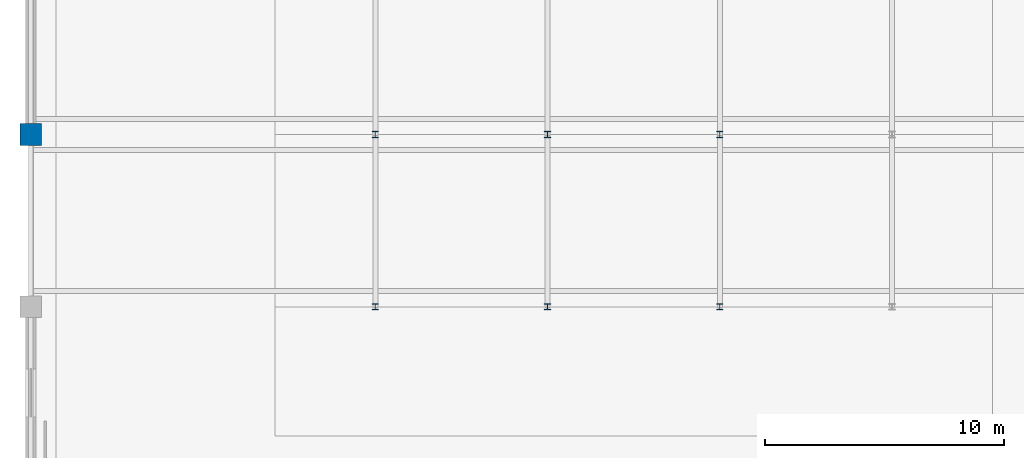
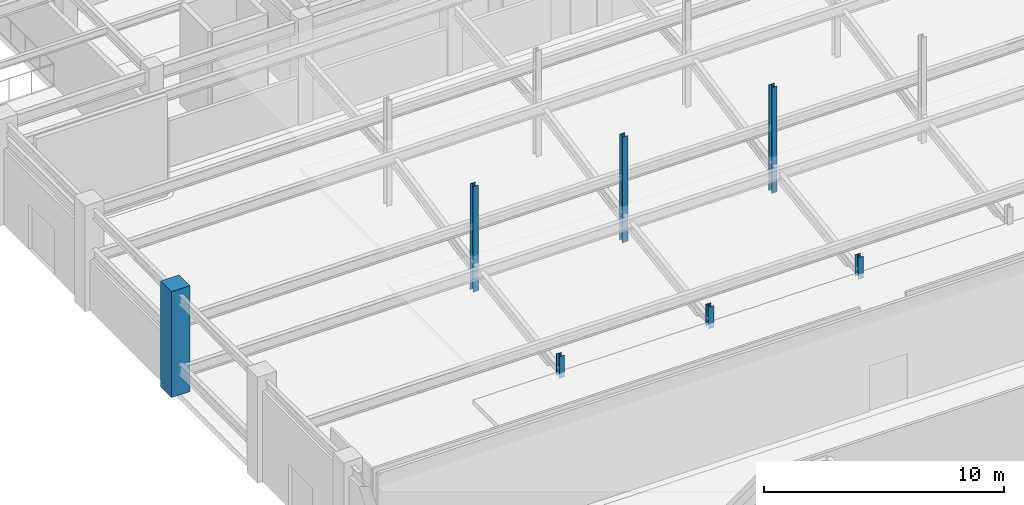
# One storey, part 2 of 102: 7 columns.
"""IFC4 building model written with IfcOpenShell, lengths in metres."""

from ifc_helpers import new_model, si_unit, direction, frame, origin, origin_2d, place, context, subcontext, project, spatial, rectangle, i_section, extrude, material, material_profile, profile_set, type_object, element, save


model = new_model("IFC4")

# Units and contexts
model_context = context("Model", 3, precision=1e-05, world=origin(), true_north=direction((0.0, 1.0)))
body_context = subcontext(model_context, "Body", "Model", "MODEL_VIEW")
ifc_project = project(units=[si_unit("LENGTHUNIT", "METRE"), si_unit("AREAUNIT", "SQUARE_METRE"), si_unit("VOLUMEUNIT", "CUBIC_METRE"), si_unit("PLANEANGLEUNIT", "RADIAN"), si_unit("MASSUNIT", "GRAM", prefix="KILO")], contexts=[model_context])

# Site, building, storey
site_placement = place(None, origin())
site = spatial("IfcSite", under=ifc_project, at=site_placement, CompositionType="ELEMENT")
building_placement = place(site_placement, origin())
building = spatial("IfcBuilding", under=site, at=building_placement, Name="Carrowvane Square Congress Hotel", CompositionType="ELEMENT")
storey_placement = place(building_placement, origin())
storey = spatial("IfcBuildingStorey", under=building, at=storey_placement, Name="L00", CompositionType="ELEMENT", Elevation=0.0)

# Columns
ifc_material_1 = material(Name="Steel S355", Category="steel")
ifc_material_profile_1 = material_profile(ifc_material_1, i_section(OverallWidth=0.25634765625, OverallDepth=0.26025390625, WebThickness=0.01025390625, FlangeThickness=0.017333984375, FilletRadius=0.0126953125, at=origin_2d()), Name="UKC 254x254x89")
ifc_profile_set_1 = profile_set([ifc_material_profile_1], Name="Steel S355")
column_type_1 = type_object("IfcColumnType", Name="COL-ST-UKC254", PredefinedType="COLUMN", material=ifc_profile_set_1)
column_1_placement = place(storey_placement, frame((26.0, 27.0, 0.0), z_axis=(0.0, 0.0, 1.0), x_axis=(1.0, 0.0, 0.0)))
element("IfcColumn", 1, at=column_1_placement, inside=storey, type_object=column_type_1, Name="L00 column RK26/RY27", PredefinedType="COLUMN", context=body_context, shape_type="SweptSolid", body=[
    extrude(i_section(OverallWidth=0.25634765625, OverallDepth=0.26025390625, WebThickness=0.01025390625, FlangeThickness=0.017333984375, FilletRadius=0.0126953125, at=origin_2d()), origin(), (0.0, 0.0, 1.0), 1.10009765625),
])
column_2_placement = place(storey_placement, frame((26.0, 34.199951171875, 0.0), z_axis=(0.0, 0.0, 1.0), x_axis=(1.0, 0.0, 0.0)))
element("IfcColumn", 2, at=column_2_placement, inside=storey, type_object=column_type_1, Name="L00 column RK26/RY34", PredefinedType="COLUMN", context=body_context, shape_type="SweptSolid", body=[
    extrude(i_section(OverallWidth=0.25634765625, OverallDepth=0.26025390625, WebThickness=0.01025390625, FlangeThickness=0.017333984375, FilletRadius=0.0126953125, at=origin_2d()), origin(), (0.0, 0.0, 1.0), 5.39990234375),
])
column_3_placement = place(storey_placement, frame((33.199951171875, 27.0, 0.0), z_axis=(0.0, 0.0, 1.0), x_axis=(1.0, 0.0, 0.0)))
element("IfcColumn", 3, at=column_3_placement, inside=storey, type_object=column_type_1, Name="L00 column RK33/RY27", PredefinedType="COLUMN", context=body_context, shape_type="SweptSolid", body=[
    extrude(i_section(OverallWidth=0.25634765625, OverallDepth=0.26025390625, WebThickness=0.01025390625, FlangeThickness=0.017333984375, FilletRadius=0.0126953125, at=origin_2d()), origin(), (0.0, 0.0, 1.0), 1.10009765625),
])
column_4_placement = place(storey_placement, frame((33.199951171875, 34.199951171875, 0.0), z_axis=(0.0, 0.0, 1.0), x_axis=(1.0, 0.0, 0.0)))
element("IfcColumn", 4, at=column_4_placement, inside=storey, type_object=column_type_1, Name="L00 column RK33/RY34", PredefinedType="COLUMN", context=body_context, shape_type="SweptSolid", body=[
    extrude(i_section(OverallWidth=0.25634765625, OverallDepth=0.26025390625, WebThickness=0.01025390625, FlangeThickness=0.017333984375, FilletRadius=0.0126953125, at=origin_2d()), origin(), (0.0, 0.0, 1.0), 5.39990234375),
])
column_5_placement = place(storey_placement, frame((40.39990234375, 27.0, 0.0), z_axis=(0.0, 0.0, 1.0), x_axis=(1.0, 0.0, 0.0)))
element("IfcColumn", 5, at=column_5_placement, inside=storey, type_object=column_type_1, Name="L00 column RK40/RY27", PredefinedType="COLUMN", context=body_context, shape_type="SweptSolid", body=[
    extrude(i_section(OverallWidth=0.25634765625, OverallDepth=0.26025390625, WebThickness=0.01025390625, FlangeThickness=0.017333984375, FilletRadius=0.0126953125, at=origin_2d()), origin(), (0.0, 0.0, 1.0), 1.10009765625),
])
column_6_placement = place(storey_placement, frame((40.39990234375, 34.199951171875, 0.0), z_axis=(0.0, 0.0, 1.0), x_axis=(1.0, 0.0, 0.0)))
element("IfcColumn", 6, at=column_6_placement, inside=storey, type_object=column_type_1, Name="L00 column RK40/RY34", PredefinedType="COLUMN", context=body_context, shape_type="SweptSolid", body=[
    extrude(i_section(OverallWidth=0.25634765625, OverallDepth=0.26025390625, WebThickness=0.01025390625, FlangeThickness=0.017333984375, FilletRadius=0.0126953125, at=origin_2d()), origin(), (0.0, 0.0, 1.0), 5.39990234375),
])
ifc_material_2 = material(Name="Concrete C40/50", Category="concrete")
ifc_material_profile_2 = material_profile(ifc_material_2, rectangle(XDim=0.89990234375, YDim=0.89990234375, at=origin_2d()), Name="RC 900x900")
ifc_profile_set_2 = profile_set([ifc_material_profile_2], Name="Concrete C40/50")
column_type_2 = type_object("IfcColumnType", Name="MCOL-RC-900", PredefinedType="COLUMN", material=ifc_profile_set_2)
column_7_placement = place(storey_placement, frame((11.60009765625, 34.199951171875, 0.0), z_axis=(0.0, 0.0, 1.0), x_axis=(1.0, 0.0, 0.0)))
element("IfcColumn", 7, at=column_7_placement, inside=storey, type_object=column_type_2, Name="L00 column 1/E", PredefinedType="COLUMN", context=body_context, shape_type="SweptSolid", body=[
    extrude(rectangle(XDim=0.89990234375, YDim=0.89990234375, at=origin_2d()), origin(), (0.0, 0.0, 1.0), 5.39990234375),
])

save(model, "model.ifc")
